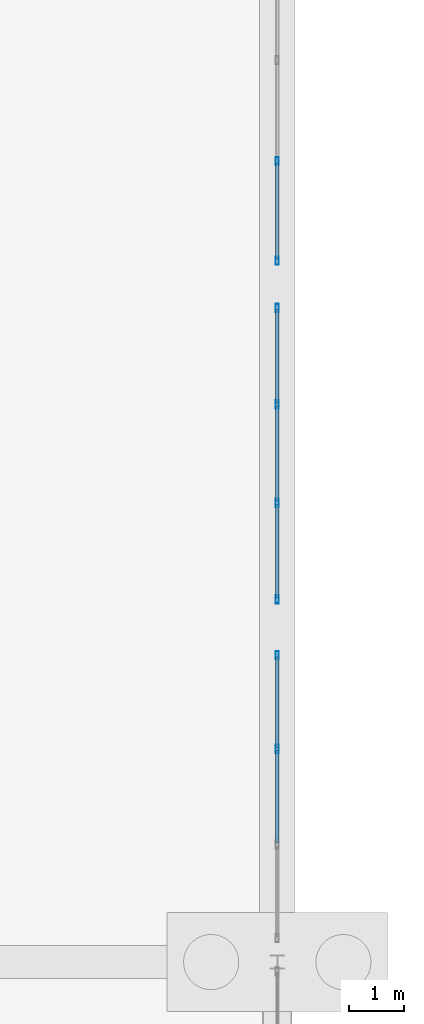
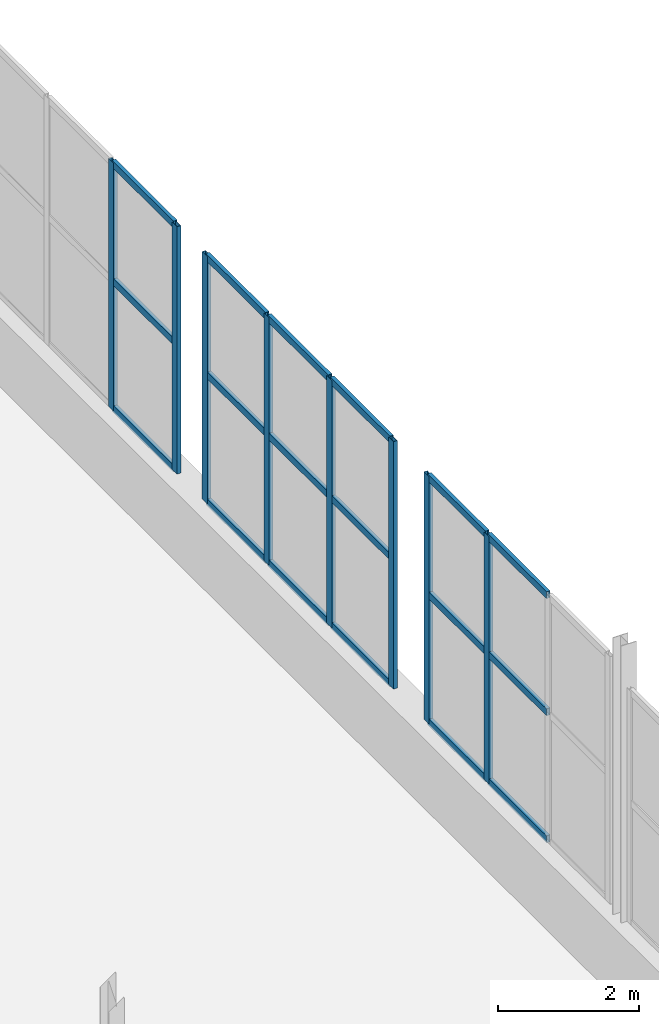
# One storey, part 88 of 139: 26 members, 3 elements without a shape of their own.
"""IFC4 building model written with IfcOpenShell, lengths in metres."""

from ifc_helpers import new_model, si_unit, direction, frame, origin, origin_2d, place, context, subcontext, project, spatial, hollow_rectangle, extrude, material, material_profile, profile_set, type_object, element, aggregate, save


model = new_model("IFC4")

# Units and contexts
model_context = context("Model", 3, precision=1e-05, world=origin(), true_north=direction((0.0, 1.0)))
body_context = subcontext(model_context, "Body", "Model", "MODEL_VIEW")
ifc_project = project(units=[si_unit("LENGTHUNIT", "METRE"), si_unit("AREAUNIT", "SQUARE_METRE"), si_unit("VOLUMEUNIT", "CUBIC_METRE"), si_unit("PLANEANGLEUNIT", "RADIAN"), si_unit("MASSUNIT", "GRAM", prefix="KILO")], contexts=[model_context])

# Site, building, storey
site_placement = place(None, origin())
site = spatial("IfcSite", under=ifc_project, at=site_placement, CompositionType="ELEMENT")
building_placement = place(site_placement, origin())
building = spatial("IfcBuilding", under=site, at=building_placement, Name="Kazenagashi Tramway Depot", CompositionType="ELEMENT")
storey_placement = place(building_placement, origin())
storey = spatial("IfcBuildingStorey", under=building, at=storey_placement, Name="L01", CompositionType="ELEMENT", Elevation=0.0)

# Curtain wall, members
ifc_material_1 = material(Name="Anodised Aluminium and Low-E Glazing", Category="aluminium")
curtain_wall_type_1 = type_object("IfcCurtainWallType", Name="CW-03", PredefinedType="USERDEFINED", material=ifc_material_1)
curtain_wall_1_placement = place(storey_placement, origin())
curtain_wall_1 = element("IfcCurtainWall", 1, at=curtain_wall_1_placement, inside=storey, type_object=curtain_wall_type_1, Name="Industrial Glazed Screen CW-03 CW-0003", ObjectType="GLAZED SCREEN", PredefinedType="USERDEFINED")
ifc_material_2 = material(Name="Anodised Aluminium", Category="aluminium")
ifc_material_profile_1 = material_profile(ifc_material_2, hollow_rectangle(XDim=0.06, YDim=0.15, WallThickness=0.004, at=origin_2d()), Name="RHS-150x60x4")
ifc_profile_set_1 = profile_set([ifc_material_profile_1], Name="Anodised Aluminium")
member_type_1 = type_object("IfcMemberType", Name="ML-01", PredefinedType="MULLION", material=ifc_profile_set_1)
member_1_placement = place(storey_placement, frame((196.0, 83.866667, 1.2), z_axis=(0.0, 0.0, 1.0), x_axis=(-1.0, 0.0, 0.0)))
member_1 = element("IfcMember", 2, at=member_1_placement, type_object=member_type_1, Name="CW-03 mullion 3", PredefinedType="MULLION", context=body_context, shape_type="SweptSolid", body=[
    extrude(hollow_rectangle(XDim=0.06, YDim=0.15, WallThickness=0.004, at=origin_2d()), origin(), (0.0, 0.0, 1.0), 4.292),
])
member_2_placement = place(storey_placement, frame((196.0, 85.57, 1.2), z_axis=(0.0, 0.0, 1.0), x_axis=(-1.0, 0.0, 0.0)))
member_2 = element("IfcMember", 3, at=member_2_placement, type_object=member_type_1, Name="CW-03 mullion 4", PredefinedType="MULLION", context=body_context, shape_type="SweptSolid", body=[
    extrude(hollow_rectangle(XDim=0.06, YDim=0.15, WallThickness=0.004, at=origin_2d()), origin(), (0.0, 0.0, 1.0), 4.292),
])

curtain_wall_type_2 = type_object("IfcCurtainWallType", Name="CW-05", PredefinedType="USERDEFINED", material=ifc_material_1)
curtain_wall_2_placement = place(storey_placement, origin())
curtain_wall_2 = element("IfcCurtainWall", 4, at=curtain_wall_2_placement, inside=storey, type_object=curtain_wall_type_2, Name="Industrial Glazed Screen CW-05 CW-0005", ObjectType="GLAZED SCREEN", PredefinedType="USERDEFINED")
member_3_placement = place(storey_placement, frame((196.0, 86.58, 1.2), z_axis=(0.0, 0.0, 1.0), x_axis=(-1.0, 0.0, 0.0)))
member_3 = element("IfcMember", 5, at=member_3_placement, type_object=member_type_1, Name="CW-05 mullion 1", PredefinedType="MULLION", context=body_context, shape_type="SweptSolid", body=[
    extrude(hollow_rectangle(XDim=0.06, YDim=0.15, WallThickness=0.004, at=origin_2d()), origin(), (0.0, 0.0, 1.0), 4.292),
])
member_4_placement = place(storey_placement, frame((196.0, 88.333333, 1.2), z_axis=(0.0, 0.0, 1.0), x_axis=(-1.0, 0.0, 0.0)))
member_4 = element("IfcMember", 6, at=member_4_placement, type_object=member_type_1, Name="CW-05 mullion 2", PredefinedType="MULLION", context=body_context, shape_type="SweptSolid", body=[
    extrude(hollow_rectangle(XDim=0.06, YDim=0.15, WallThickness=0.004, at=origin_2d()), origin(), (0.0, 0.0, 1.0), 4.292),
])
member_5_placement = place(storey_placement, frame((196.0, 90.116667, 1.2), z_axis=(0.0, 0.0, 1.0), x_axis=(-1.0, 0.0, 0.0)))
member_5 = element("IfcMember", 7, at=member_5_placement, type_object=member_type_1, Name="CW-05 mullion 3", PredefinedType="MULLION", context=body_context, shape_type="SweptSolid", body=[
    extrude(hollow_rectangle(XDim=0.06, YDim=0.15, WallThickness=0.004, at=origin_2d()), origin(), (0.0, 0.0, 1.0), 4.292),
])
member_6_placement = place(storey_placement, frame((196.0, 91.87, 1.2), z_axis=(0.0, 0.0, 1.0), x_axis=(-1.0, 0.0, 0.0)))
member_6 = element("IfcMember", 8, at=member_6_placement, type_object=member_type_1, Name="CW-05 mullion 4", PredefinedType="MULLION", context=body_context, shape_type="SweptSolid", body=[
    extrude(hollow_rectangle(XDim=0.06, YDim=0.15, WallThickness=0.004, at=origin_2d()), origin(), (0.0, 0.0, 1.0), 4.292),
])

curtain_wall_type_3 = type_object("IfcCurtainWallType", Name="CW-07", PredefinedType="USERDEFINED", material=ifc_material_1)
curtain_wall_3_placement = place(storey_placement, origin())
curtain_wall_3 = element("IfcCurtainWall", 9, at=curtain_wall_3_placement, inside=storey, type_object=curtain_wall_type_3, Name="Industrial Glazed Screen CW-07 CW-0007", ObjectType="GLAZED SCREEN", PredefinedType="USERDEFINED")
member_7_placement = place(storey_placement, frame((196.0, 92.73, 1.2), z_axis=(0.0, 0.0, 1.0), x_axis=(-1.0, 0.0, 0.0)))
member_7 = element("IfcMember", 10, at=member_7_placement, type_object=member_type_1, Name="CW-07 mullion 1", PredefinedType="MULLION", context=body_context, shape_type="SweptSolid", body=[
    extrude(hollow_rectangle(XDim=0.06, YDim=0.15, WallThickness=0.004, at=origin_2d()), origin(), (0.0, 0.0, 1.0), 4.292),
])
member_8_placement = place(storey_placement, frame((196.0, 94.533333, 1.2), z_axis=(0.0, 0.0, 1.0), x_axis=(-1.0, 0.0, 0.0)))
member_8 = element("IfcMember", 11, at=member_8_placement, type_object=member_type_1, Name="CW-07 mullion 2", PredefinedType="MULLION", context=body_context, shape_type="SweptSolid", body=[
    extrude(hollow_rectangle(XDim=0.06, YDim=0.15, WallThickness=0.004, at=origin_2d()), origin(), (0.0, 0.0, 1.0), 4.292),
])

# Member
ifc_material_profile_2 = material_profile(ifc_material_2, hollow_rectangle(XDim=0.06, YDim=0.12, WallThickness=0.004, at=origin_2d()), Name="RHS-120x60x4")
ifc_profile_set_2 = profile_set([ifc_material_profile_2], Name="Anodised Aluminium")
member_type_2 = type_object("IfcMemberType", Name="TR-01", PredefinedType="USERDEFINED", material=ifc_profile_set_2)
member_9_placement = place(storey_placement, frame((196.0, 82.163333, 1.23), z_axis=(0.0, 1.0, 0.0), x_axis=(-1.0, 0.0, 0.0)))
member_9 = element("IfcMember", 12, at=member_9_placement, type_object=member_type_2, Name="CW-03 transom 2.1", ObjectType="TRANSOM", PredefinedType="USERDEFINED", context=body_context, shape_type="SweptSolid", body=[
    extrude(hollow_rectangle(XDim=0.06, YDim=0.12, WallThickness=0.004, at=origin_2d()), origin(), (0.0, 0.0, 1.0), 1.673334),
])

member_10_placement = place(storey_placement, frame((196.0, 82.163333, 3.432), z_axis=(0.0, 1.0, 0.0), x_axis=(-1.0, 0.0, 0.0)))
member_10 = element("IfcMember", 13, at=member_10_placement, type_object=member_type_2, Name="CW-03 transom 2.2", ObjectType="TRANSOM", PredefinedType="USERDEFINED", context=body_context, shape_type="SweptSolid", body=[
    extrude(hollow_rectangle(XDim=0.06, YDim=0.12, WallThickness=0.004, at=origin_2d()), origin(), (0.0, 0.0, 1.0), 1.673334),
])

member_11_placement = place(storey_placement, frame((196.0, 82.163333, 5.462), z_axis=(0.0, 1.0, 0.0), x_axis=(-1.0, 0.0, 0.0)))
member_11 = element("IfcMember", 14, at=member_11_placement, type_object=member_type_2, Name="CW-03 transom 2.3", ObjectType="TRANSOM", PredefinedType="USERDEFINED", context=body_context, shape_type="SweptSolid", body=[
    extrude(hollow_rectangle(XDim=0.06, YDim=0.12, WallThickness=0.004, at=origin_2d()), origin(), (0.0, 0.0, 1.0), 1.673334),
])

member_12_placement = place(storey_placement, frame((196.0, 83.896667, 1.23), z_axis=(0.0, 1.0, 0.0), x_axis=(-1.0, 0.0, 0.0)))
member_12 = element("IfcMember", 15, at=member_12_placement, type_object=member_type_2, Name="CW-03 transom 3.1", ObjectType="TRANSOM", PredefinedType="USERDEFINED", context=body_context, shape_type="SweptSolid", body=[
    extrude(hollow_rectangle(XDim=0.06, YDim=0.12, WallThickness=0.004, at=origin_2d()), origin(), (0.0, 0.0, 1.0), 1.643333),
])

member_13_placement = place(storey_placement, frame((196.0, 83.896667, 3.432), z_axis=(0.0, 1.0, 0.0), x_axis=(-1.0, 0.0, 0.0)))
member_13 = element("IfcMember", 16, at=member_13_placement, type_object=member_type_2, Name="CW-03 transom 3.2", ObjectType="TRANSOM", PredefinedType="USERDEFINED", context=body_context, shape_type="SweptSolid", body=[
    extrude(hollow_rectangle(XDim=0.06, YDim=0.12, WallThickness=0.004, at=origin_2d()), origin(), (0.0, 0.0, 1.0), 1.643333),
])

member_14_placement = place(storey_placement, frame((196.0, 83.896667, 5.462), z_axis=(0.0, 1.0, 0.0), x_axis=(-1.0, 0.0, 0.0)))
member_14 = element("IfcMember", 17, at=member_14_placement, type_object=member_type_2, Name="CW-03 transom 3.3", ObjectType="TRANSOM", PredefinedType="USERDEFINED", context=body_context, shape_type="SweptSolid", body=[
    extrude(hollow_rectangle(XDim=0.06, YDim=0.12, WallThickness=0.004, at=origin_2d()), origin(), (0.0, 0.0, 1.0), 1.643333),
])

aggregate(curtain_wall_1, [member_1, member_2, member_9, member_10, member_11, member_12, member_13, member_14])

member_15_placement = place(storey_placement, frame((196.0, 86.61, 1.23), z_axis=(0.0, 1.0, 0.0), x_axis=(-1.0, 0.0, 0.0)))
member_15 = element("IfcMember", 18, at=member_15_placement, type_object=member_type_2, Name="CW-05 transom 1.1", ObjectType="TRANSOM", PredefinedType="USERDEFINED", context=body_context, shape_type="SweptSolid", body=[
    extrude(hollow_rectangle(XDim=0.06, YDim=0.12, WallThickness=0.004, at=origin_2d()), origin(), (0.0, 0.0, 1.0), 1.693333),
])

member_16_placement = place(storey_placement, frame((196.0, 86.61, 3.432), z_axis=(0.0, 1.0, 0.0), x_axis=(-1.0, 0.0, 0.0)))
member_16 = element("IfcMember", 19, at=member_16_placement, type_object=member_type_2, Name="CW-05 transom 1.2", ObjectType="TRANSOM", PredefinedType="USERDEFINED", context=body_context, shape_type="SweptSolid", body=[
    extrude(hollow_rectangle(XDim=0.06, YDim=0.12, WallThickness=0.004, at=origin_2d()), origin(), (0.0, 0.0, 1.0), 1.693333),
])

member_17_placement = place(storey_placement, frame((196.0, 86.61, 5.462), z_axis=(0.0, 1.0, 0.0), x_axis=(-1.0, 0.0, 0.0)))
member_17 = element("IfcMember", 20, at=member_17_placement, type_object=member_type_2, Name="CW-05 transom 1.3", ObjectType="TRANSOM", PredefinedType="USERDEFINED", context=body_context, shape_type="SweptSolid", body=[
    extrude(hollow_rectangle(XDim=0.06, YDim=0.12, WallThickness=0.004, at=origin_2d()), origin(), (0.0, 0.0, 1.0), 1.693333),
])

member_18_placement = place(storey_placement, frame((196.0, 88.363333, 1.23), z_axis=(0.0, 1.0, 0.0), x_axis=(-1.0, 0.0, 0.0)))
member_18 = element("IfcMember", 21, at=member_18_placement, type_object=member_type_2, Name="CW-05 transom 2.1", ObjectType="TRANSOM", PredefinedType="USERDEFINED", context=body_context, shape_type="SweptSolid", body=[
    extrude(hollow_rectangle(XDim=0.06, YDim=0.12, WallThickness=0.004, at=origin_2d()), origin(), (0.0, 0.0, 1.0), 1.723334),
])

member_19_placement = place(storey_placement, frame((196.0, 88.363333, 3.432), z_axis=(0.0, 1.0, 0.0), x_axis=(-1.0, 0.0, 0.0)))
member_19 = element("IfcMember", 22, at=member_19_placement, type_object=member_type_2, Name="CW-05 transom 2.2", ObjectType="TRANSOM", PredefinedType="USERDEFINED", context=body_context, shape_type="SweptSolid", body=[
    extrude(hollow_rectangle(XDim=0.06, YDim=0.12, WallThickness=0.004, at=origin_2d()), origin(), (0.0, 0.0, 1.0), 1.723334),
])

member_20_placement = place(storey_placement, frame((196.0, 88.363333, 5.462), z_axis=(0.0, 1.0, 0.0), x_axis=(-1.0, 0.0, 0.0)))
member_20 = element("IfcMember", 23, at=member_20_placement, type_object=member_type_2, Name="CW-05 transom 2.3", ObjectType="TRANSOM", PredefinedType="USERDEFINED", context=body_context, shape_type="SweptSolid", body=[
    extrude(hollow_rectangle(XDim=0.06, YDim=0.12, WallThickness=0.004, at=origin_2d()), origin(), (0.0, 0.0, 1.0), 1.723334),
])

member_21_placement = place(storey_placement, frame((196.0, 90.146667, 1.23), z_axis=(0.0, 1.0, 0.0), x_axis=(-1.0, 0.0, 0.0)))
member_21 = element("IfcMember", 24, at=member_21_placement, type_object=member_type_2, Name="CW-05 transom 3.1", ObjectType="TRANSOM", PredefinedType="USERDEFINED", context=body_context, shape_type="SweptSolid", body=[
    extrude(hollow_rectangle(XDim=0.06, YDim=0.12, WallThickness=0.004, at=origin_2d()), origin(), (0.0, 0.0, 1.0), 1.693333),
])

member_22_placement = place(storey_placement, frame((196.0, 90.146667, 3.432), z_axis=(0.0, 1.0, 0.0), x_axis=(-1.0, 0.0, 0.0)))
member_22 = element("IfcMember", 25, at=member_22_placement, type_object=member_type_2, Name="CW-05 transom 3.2", ObjectType="TRANSOM", PredefinedType="USERDEFINED", context=body_context, shape_type="SweptSolid", body=[
    extrude(hollow_rectangle(XDim=0.06, YDim=0.12, WallThickness=0.004, at=origin_2d()), origin(), (0.0, 0.0, 1.0), 1.693333),
])

member_23_placement = place(storey_placement, frame((196.0, 90.146667, 5.462), z_axis=(0.0, 1.0, 0.0), x_axis=(-1.0, 0.0, 0.0)))
member_23 = element("IfcMember", 26, at=member_23_placement, type_object=member_type_2, Name="CW-05 transom 3.3", ObjectType="TRANSOM", PredefinedType="USERDEFINED", context=body_context, shape_type="SweptSolid", body=[
    extrude(hollow_rectangle(XDim=0.06, YDim=0.12, WallThickness=0.004, at=origin_2d()), origin(), (0.0, 0.0, 1.0), 1.693333),
])

aggregate(curtain_wall_2, [member_3, member_4, member_5, member_6, member_15, member_16, member_17, member_18, member_19, member_20, member_21, member_22, member_23])

member_24_placement = place(storey_placement, frame((196.0, 92.76, 1.23), z_axis=(0.0, 1.0, 0.0), x_axis=(-1.0, 0.0, 0.0)))
member_24 = element("IfcMember", 27, at=member_24_placement, type_object=member_type_2, Name="CW-07 transom 1.1", ObjectType="TRANSOM", PredefinedType="USERDEFINED", context=body_context, shape_type="SweptSolid", body=[
    extrude(hollow_rectangle(XDim=0.06, YDim=0.12, WallThickness=0.004, at=origin_2d()), origin(), (0.0, 0.0, 1.0), 1.743333),
])

member_25_placement = place(storey_placement, frame((196.0, 92.76, 3.432), z_axis=(0.0, 1.0, 0.0), x_axis=(-1.0, 0.0, 0.0)))
member_25 = element("IfcMember", 28, at=member_25_placement, type_object=member_type_2, Name="CW-07 transom 1.2", ObjectType="TRANSOM", PredefinedType="USERDEFINED", context=body_context, shape_type="SweptSolid", body=[
    extrude(hollow_rectangle(XDim=0.06, YDim=0.12, WallThickness=0.004, at=origin_2d()), origin(), (0.0, 0.0, 1.0), 1.743333),
])

member_26_placement = place(storey_placement, frame((196.0, 92.76, 5.462), z_axis=(0.0, 1.0, 0.0), x_axis=(-1.0, 0.0, 0.0)))
member_26 = element("IfcMember", 29, at=member_26_placement, type_object=member_type_2, Name="CW-07 transom 1.3", ObjectType="TRANSOM", PredefinedType="USERDEFINED", context=body_context, shape_type="SweptSolid", body=[
    extrude(hollow_rectangle(XDim=0.06, YDim=0.12, WallThickness=0.004, at=origin_2d()), origin(), (0.0, 0.0, 1.0), 1.743333),
])

aggregate(curtain_wall_3, [member_7, member_8, member_24, member_25, member_26])

save(model, "model.ifc")
